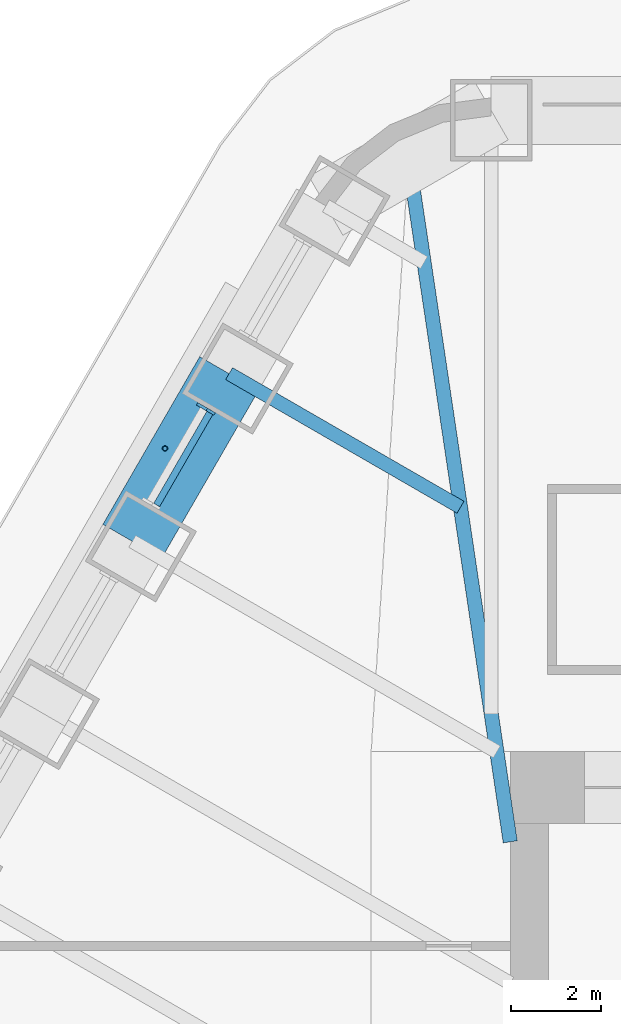
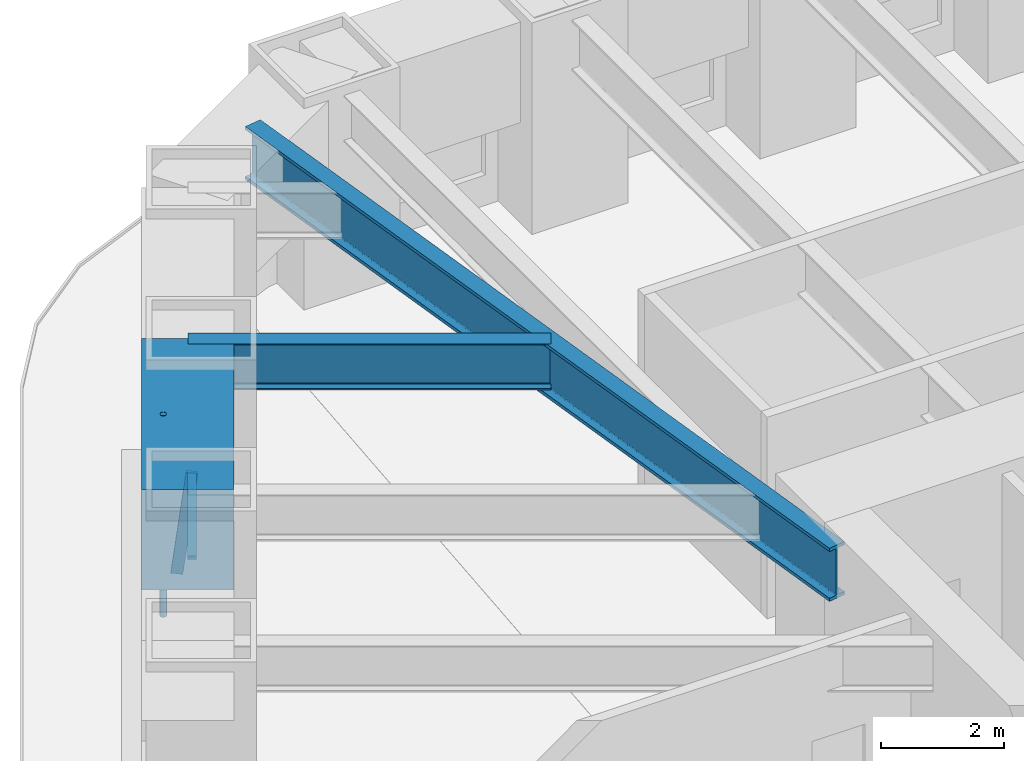
# One storey, part 8 of 18: 3 beams, 3 members, 1 element without a shape of its own.
"""IFC4 building model written with IfcOpenShell, lengths in metres."""

from ifc_helpers import new_model, si_unit, direction, frame, origin, origin_2d, place, context, subcontext, project, spatial, rectangle, hollow_circle, i_section, extrude, material, material_profile, profile_set, type_object, element, aggregate, save


model = new_model("IFC4")

# Units and contexts
model_context = context("Model", 3, precision=1e-05, world=origin(), true_north=direction((0.0, 1.0)))
body_context = subcontext(model_context, "Body", "Model", "MODEL_VIEW")
ifc_project = project(units=[si_unit("LENGTHUNIT", "METRE"), si_unit("AREAUNIT", "SQUARE_METRE"), si_unit("VOLUMEUNIT", "CUBIC_METRE"), si_unit("PLANEANGLEUNIT", "RADIAN"), si_unit("MASSUNIT", "GRAM", prefix="KILO")], contexts=[model_context])

# Site, building, storey
site_placement = place(None, origin())
site = spatial("IfcSite", under=ifc_project, at=site_placement, CompositionType="ELEMENT")
building_placement = place(site_placement, origin())
building = spatial("IfcBuilding", under=site, at=building_placement, Name="Tarfa Lantern Tower", CompositionType="ELEMENT")
storey_placement = place(building_placement, frame((0.0, 0.0, 311.5)))
storey = spatial("IfcBuildingStorey", under=building, at=storey_placement, Name="L70", CompositionType="ELEMENT", Elevation=311.5)

# Curtain wall, members
ifc_material_1 = material(Name="Aluminium framed curtain wall", Category="aluminium")
curtain_wall_type = type_object("IfcCurtainWallType", Name="CW4 CANTED GLAZING EXECUTIVE ZONE 2000", PredefinedType="USERDEFINED", material=ifc_material_1)
curtain_wall_placement = place(storey_placement, origin())
curtain_wall = element("IfcCurtainWall", 1, at=curtain_wall_placement, inside=storey, type_object=curtain_wall_type, Name="CW4 NW L70", ObjectType="CURTAIN WALL", PredefinedType="USERDEFINED")
ifc_material_2 = material(Name="Aluminium mullion", Category="aluminium")
ifc_material_profile_1 = material_profile(ifc_material_2, rectangle(XDim=0.06494140625, YDim=0.199951171875, at=origin_2d()), Name="AL MULLION 65x200")
ifc_profile_set_1 = profile_set([ifc_material_profile_1], Name="Aluminium mullion")
member_type_1 = type_object("IfcMemberType", Name="CWM1 MULLION 65x200", PredefinedType="MULLION", material=ifc_profile_set_1)
member_1_placement = place(storey_placement, frame((-19.263916015625, 19.93408203125, 0.0), z_axis=(0.107439978116, -0.062017213975, 0.992275423596), x_axis=(0.499919672301, 0.866071776036, 0.0)))
member_1 = element("IfcMember", 2, at=member_1_placement, type_object=member_type_1, Name="CW4 mullion 1", PredefinedType="MULLION", context=body_context, shape_type="SweptSolid", body=[
    extrude(rectangle(XDim=0.06494140625, YDim=0.199951171875, at=origin_2d()), origin(), (0.0, 0.0, 1.0), 2.015625),
])
ifc_material_3 = material(Name="Aluminium transom", Category="aluminium")
ifc_material_profile_2 = material_profile(ifc_material_3, rectangle(XDim=0.14990234375, YDim=0.06494140625, at=origin_2d()), Name="AL TRANSOM 150x65")
ifc_profile_set_2 = profile_set([ifc_material_profile_2], Name="Aluminium transom")
member_type_2 = type_object("IfcMemberType", Name="CWT1 TRANSOM 150x65", PredefinedType="USERDEFINED", material=ifc_profile_set_2)
member_2_placement = place(storey_placement, frame((-19.067138671875, 19.782958984375, 1.967529296875), z_axis=(-0.500012978079, -0.866017910757, 0.0), x_axis=(0.866017910757, -0.500012978079, 0.0)))
member_2 = element("IfcMember", 3, at=member_2_placement, type_object=member_type_2, Name="CW4 transom 1.2", ObjectType="TRANSOM", PredefinedType="USERDEFINED", context=body_context, shape_type="SweptSolid", body=[
    extrude(rectangle(XDim=0.14990234375, YDim=0.06494140625, at=origin_2d()), origin(), (0.0, 0.0, 1.0), 2.35205078125),
])
aggregate(curtain_wall, [member_1, member_2])

# Beam
ifc_material_4 = material(Name="Concrete C80/95", Category="concrete")
ifc_material_profile_3 = material_profile(ifc_material_4, rectangle(XDim=1.5, YDim=2.0, at=origin_2d()), Name="RC 1500x2000")
ifc_profile_set_3 = profile_set([ifc_material_profile_3], Name="Concrete C80/95")
beam_type_1 = type_object("IfcBeamType", Name="RB3 RC 1500x2000", PredefinedType="BEAM", material=ifc_profile_set_3)
beam_1_placement = place(storey_placement, frame((-18.6416015625, 20.651611328125, 3.0), z_axis=(-0.500026801138, -0.866009929587, 0.0), x_axis=(0.866009929587, -0.500026801138, 0.0)))
element("IfcBeam", 4, at=beam_1_placement, inside=storey, type_object=beam_type_1, Name="Edge beam NW1", PredefinedType="BEAM", context=body_context, shape_type="SweptSolid", body=[
    extrude(rectangle(XDim=1.5, YDim=2.0, at=origin_2d()), origin(), (0.0, 0.0, 1.0), 4.281982421875),
])

# Member
ifc_material_5 = material(Name="Steel S355", Category="steel")
ifc_material_profile_4 = material_profile(ifc_material_5, hollow_circle(Radius=0.05712890625, WallThickness=0.00634765625, at=origin_2d()), Name="CHS114.3x6.3")
ifc_profile_set_4 = profile_set([ifc_material_profile_4], Name="Steel S355")
member_type_3 = type_object("IfcMemberType", Name="TR1 GREEN WALL TRELLIS CHS114.3x6.3", PredefinedType="USERDEFINED", material=ifc_profile_set_4)
member_3_placement = place(storey_placement, frame((-20.05859375, 18.99755859375, 0.0), z_axis=(0.0, 0.0, 1.0), x_axis=(1.0, 0.0, 0.0)))
element("IfcMember", 5, at=member_3_placement, inside=storey, type_object=member_type_3, Name="Trellis post NW 1", ObjectType="TRELLIS", PredefinedType="USERDEFINED", context=body_context, shape_type="SweptSolid", body=[
    extrude(hollow_circle(Radius=0.05712890625, WallThickness=0.00634765625, at=origin_2d()), origin(), (0.0, 0.0, 1.0), 4.0),
])

# Beams
ifc_material_6 = material(Name="Steel S460M", Category="steel")
ifc_material_profile_5 = material_profile(ifc_material_6, i_section(OverallWidth=0.314208984375, OverallDepth=1.055908203125, WebThickness=0.035888671875, FlangeThickness=0.06396484375, FilletRadius=0.030029296875, at=origin_2d()), Name="UB1016x305x584")
ifc_profile_set_5 = profile_set([ifc_material_profile_5], Name="Steel S460M")
beam_type_2 = type_object("IfcBeamType", Name="UB1016x305x584", PredefinedType="BEAM", material=ifc_profile_set_5)
beam_2_placement = place(storey_placement, frame((-12.425048828125, 10.300048828125, 3.471923828125), z_axis=(-0.147127069073, 0.989117599452, 0.0), x_axis=(-0.989117599452, -0.147127069073, 0.0)))
element("IfcBeam", 6, at=beam_2_placement, inside=storey, type_object=beam_type_2, Name="Hip girder NW", PredefinedType="BEAM", context=body_context, shape_type="SweptSolid", body=[
    extrude(i_section(OverallWidth=0.314208984375, OverallDepth=1.055908203125, WebThickness=0.035888671875, FlangeThickness=0.06396484375, FilletRadius=0.030029296875, at=origin_2d()), origin(), (0.0, 0.0, 1.0), 15.28125),
])
ifc_material_profile_6 = material_profile(ifc_material_6, i_section(OverallWidth=0.305419921875, OverallDepth=0.91845703125, WebThickness=0.017333984375, FlangeThickness=0.02783203125, FilletRadius=0.01904296875, at=origin_2d()), Name="UB914x305x253")
ifc_profile_set_6 = profile_set([ifc_material_profile_6], Name="Steel S460M")
beam_type_3 = type_object("IfcBeamType", Name="UB914x305x253", PredefinedType="BEAM", material=ifc_profile_set_6)
beam_3_placement = place(storey_placement, frame((-18.6416015625, 20.651611328125, 3.540771484375), z_axis=(0.866024549157, -0.500001480256, 0.0), x_axis=(0.500001480256, 0.866024549157, 0.0)))
element("IfcBeam", 7, at=beam_3_placement, inside=storey, type_object=beam_type_3, Name="Floor beam NW1", PredefinedType="BEAM", context=body_context, shape_type="SweptSolid", body=[
    extrude(i_section(OverallWidth=0.305419921875, OverallDepth=0.91845703125, WebThickness=0.017333984375, FlangeThickness=0.02783203125, FilletRadius=0.01904296875, at=origin_2d()), origin(), (0.0, 0.0, 1.0), 5.90771484375),
])

save(model, "model.ifc")
